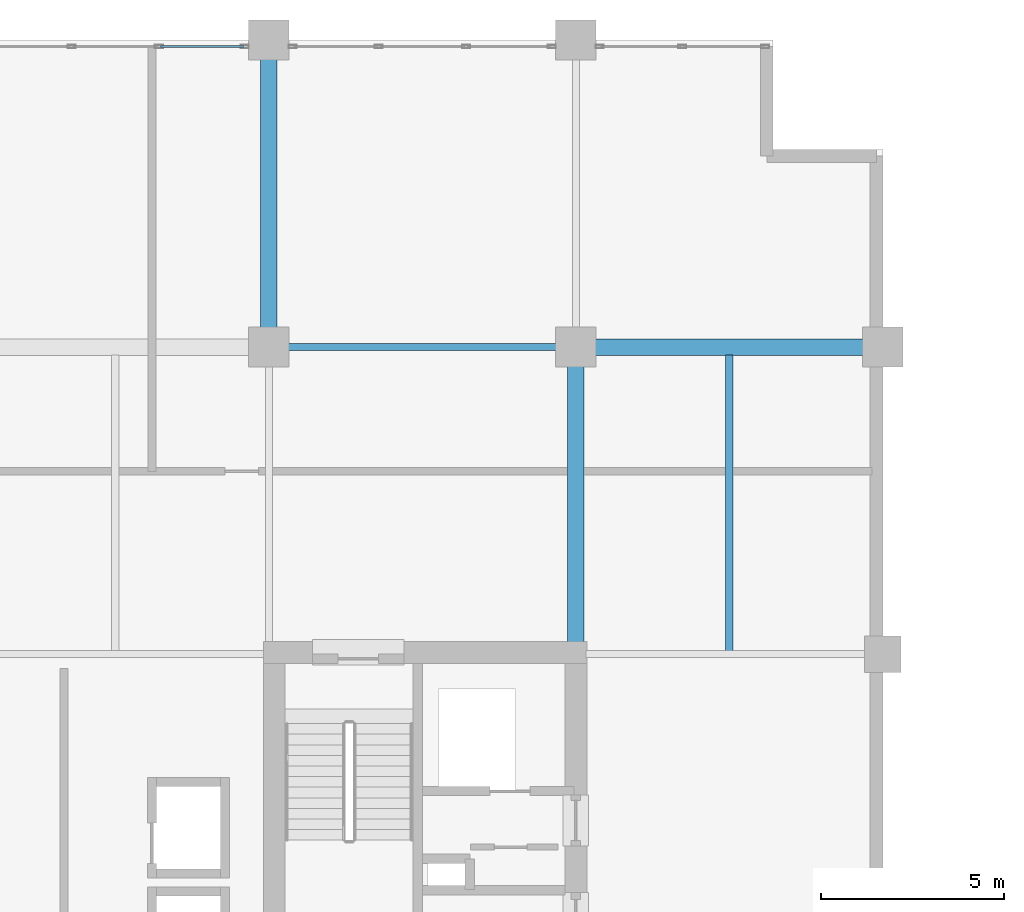
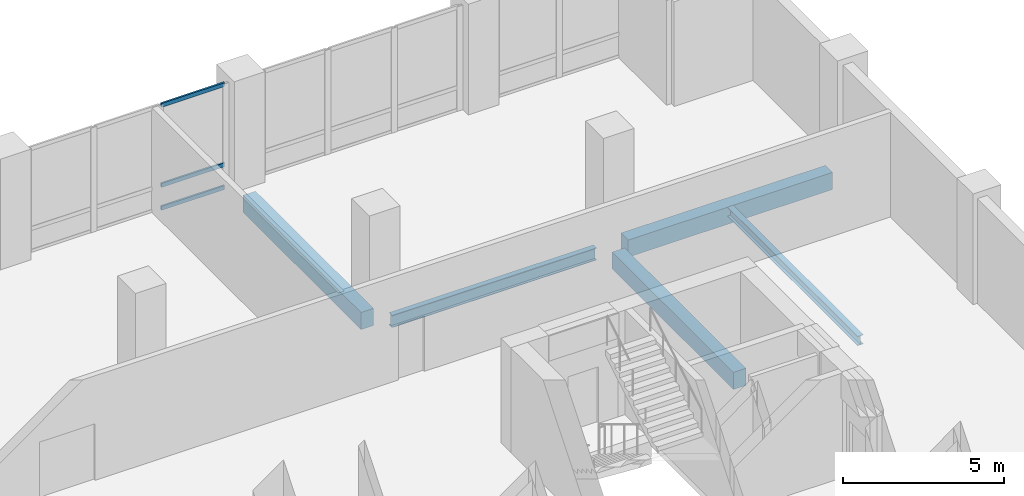
# One storey, part 7 of 22: 5 beams, 3 members, 1 element without a shape of its own.
"""IFC4 building model written with IfcOpenShell, lengths in metres."""

from ifc_helpers import new_model, si_unit, direction, frame, origin, origin_2d, place, context, subcontext, project, spatial, rectangle, hollow_rectangle, i_section, extrude, material, layer, layer_set, material_profile, profile_set, type_object, element, aggregate, save


model = new_model("IFC4")

# Units and contexts
model_context = context("Model", 3, precision=1e-05, world=origin(), true_north=direction((0.0, 1.0)))
body_context = subcontext(model_context, "Body", "Model", "MODEL_VIEW")
ifc_project = project(units=[si_unit("LENGTHUNIT", "METRE"), si_unit("AREAUNIT", "SQUARE_METRE"), si_unit("VOLUMEUNIT", "CUBIC_METRE"), si_unit("PLANEANGLEUNIT", "RADIAN"), si_unit("MASSUNIT", "GRAM", prefix="KILO")], contexts=[model_context])

# Site, building, storey
site_placement = place(None, origin())
site = spatial("IfcSite", under=ifc_project, at=site_placement, CompositionType="ELEMENT")
building_placement = place(site_placement, origin())
building = spatial("IfcBuilding", under=site, at=building_placement, Name="Koriwani Terraces Tower", CompositionType="ELEMENT")
storey_placement = place(building_placement, frame((0.0, 0.0, 219.800048828125)))
storey = spatial("IfcBuildingStorey", under=building, at=storey_placement, Name="L54", CompositionType="ELEMENT", Elevation=219.800048828125)

# Beams
ifc_material_1 = material(Name="Concrete C50/60", Category="concrete")
ifc_material_profile_1 = material_profile(ifc_material_1, rectangle(XDim=0.449951171875, YDim=0.64990234375, at=origin_2d()), Name="Concrete C50/60", Category="LoadBearing")
ifc_profile_set_1 = profile_set([ifc_material_profile_1], Name="Concrete C50/60")
beam_type_1 = type_object("IfcBeamType", Name="BEAM_RC_GRID_450X650", PredefinedType="BEAM", material=ifc_profile_set_1)
for number, where, z_axis, x_axis, name in (
    (1, (25.72998046875, 67.199951171875, -0.554931640625), (1.0, 0.0, 0.0), (0.0, 1.0, 0.0), "L54 Grid Beam I (25.2-33.6m)"),
    (2, (16.800048828125, 67.72998046875, -0.554931640625), (0.0, 1.0, 0.0), (-1.0, 0.0, 0.0), "L54 Grid Beam 3 (67.2-75.6m)"),
):
    element("IfcBeam", number, at=place(storey_placement, frame(where, z_axis=z_axis, x_axis=x_axis)), inside=storey, type_object=beam_type_1, Name=name, PredefinedType="BEAM", context=body_context, shape_type="SweptSolid", body=[
        extrude(rectangle(XDim=0.449951171875, YDim=0.64990234375, at=origin_2d()), origin(), (0.0, 0.0, 1.0), 7.340087890625),
    ])
beam_1_placement = place(storey_placement, frame((25.199951171875, 59.1298828125, -0.554931640625), z_axis=(0.0, 1.0, 0.0), x_axis=(-1.0, 0.0, 0.0)))
element("IfcBeam", 3, at=beam_1_placement, inside=storey, type_object=beam_type_1, Name="L54 Grid Beam 4 (58.8-67.2m)", PredefinedType="BEAM", context=body_context, shape_type="SweptSolid", body=[
    extrude(rectangle(XDim=0.449951171875, YDim=0.64990234375, at=origin_2d()), origin(), (0.0, 0.0, 1.0), 7.5400390625),
])

# Curtain wall, members
ifc_material_2 = material(Name="Anodised Bronze Aluminium", Category="aluminium")
ifc_layer = layer(ifc_material_2, 0.219970703125, Name="Anodised Bronze Aluminium")
ifc_layer_set = layer_set([ifc_layer], Name="Anodised Bronze Aluminium")
curtain_wall_type = type_object("IfcCurtainWallType", Name="CW_SKY_LOUNGE", PredefinedType="NOTDEFINED", material=ifc_layer_set)
curtain_wall_placement = place(storey_placement, origin())
curtain_wall = element("IfcCurtainWall", 4, at=curtain_wall_placement, inside=storey, type_object=curtain_wall_type, Name="L54 Unitised Curtain Wall (N_TIP) Bay 2", PredefinedType="NOTDEFINED")
ifc_material_profile_2 = material_profile(ifc_material_2, hollow_rectangle(XDim=0.06494140625, YDim=0.14990234375, WallThickness=0.0048828125, at=origin_2d()), Name="Anodised Bronze Aluminium", Category="LoadBearing")
ifc_profile_set_2 = profile_set([ifc_material_profile_2], Name="Anodised Bronze Aluminium")
member_type = type_object("IfcMemberType", Name="CW_TRANSOM_150X65", PredefinedType="USERDEFINED", material=ifc_profile_set_2)
member_1_placement = place(storey_placement, frame((13.839111328125, 75.425048828125, 0.032470703125), z_axis=(1.0, 0.0, 0.0), x_axis=(0.0, 1.0, 0.0)))
member_1 = element("IfcMember", 5, at=member_1_placement, type_object=member_type, Name="CW-SKY transom 3.1", ObjectType="TRANSOM", PredefinedType="USERDEFINED", context=body_context, shape_type="SweptSolid", body=[
    extrude(hollow_rectangle(XDim=0.06494140625, YDim=0.14990234375, WallThickness=0.0048828125, at=origin_2d()), origin(), (0.0, 0.0, 1.0), 2.265869140625),
])
member_2_placement = place(storey_placement, frame((13.839111328125, 75.425048828125, 0.89990234375), z_axis=(1.0, 0.0, 0.0), x_axis=(0.0, 1.0, 0.0)))
member_2 = element("IfcMember", 6, at=member_2_placement, type_object=member_type, Name="CW-SKY transom 3.2", ObjectType="TRANSOM", PredefinedType="USERDEFINED", context=body_context, shape_type="SweptSolid", body=[
    extrude(hollow_rectangle(XDim=0.06494140625, YDim=0.14990234375, WallThickness=0.0048828125, at=origin_2d()), origin(), (0.0, 0.0, 1.0), 2.265869140625),
])
member_3_placement = place(storey_placement, frame((13.839111328125, 75.425048828125, 3.9375), z_axis=(1.0, 0.0, 0.0), x_axis=(0.0, 1.0, 0.0)))
member_3 = element("IfcMember", 7, at=member_3_placement, type_object=member_type, Name="CW-SKY transom 3.3", ObjectType="TRANSOM", PredefinedType="USERDEFINED", context=body_context, shape_type="SweptSolid", body=[
    extrude(hollow_rectangle(XDim=0.06494140625, YDim=0.14990234375, WallThickness=0.0048828125, at=origin_2d()), origin(), (0.0, 0.0, 1.0), 2.265869140625),
])
aggregate(curtain_wall, [member_1, member_2, member_3])

# Beams
ifc_material_3 = material(Name="Steel ASTM A572 Grade 50", Category="steel")
ifc_material_profile_3 = material_profile(ifc_material_3, i_section(OverallWidth=0.205078125, OverallDepth=0.35400390625, WebThickness=0.009521484375, FlangeThickness=0.016845703125, at=origin_2d()), Name="Steel ASTM A572 Grade 50", Category="LoadBearing")
ifc_profile_set_3 = profile_set([ifc_material_profile_3], Name="Steel ASTM A572 Grade 50")
beam_type_2 = type_object("IfcBeamType", Name="STEEL_BEAM_W360X79", PredefinedType="JOIST", material=ifc_profile_set_3)
beam_2_placement = place(storey_placement, frame((29.39990234375, 58.886474609375, -0.406982421875), z_axis=(0.0, 1.0, 0.0), x_axis=(-1.0, 0.0, 0.0)))
element("IfcBeam", 8, at=beam_2_placement, inside=storey, type_object=beam_type_2, Name="L54 Secondary Steel Floor Joist X=29.4m", PredefinedType="JOIST", context=body_context, shape_type="SweptSolid", body=[
    extrude(i_section(OverallWidth=0.205078125, OverallDepth=0.35400390625, WebThickness=0.009521484375, FlangeThickness=0.016845703125, at=origin_2d()), origin(), (0.0, 0.0, 1.0), 8.0986328125),
])
ifc_material_profile_4 = material_profile(ifc_material_3, i_section(OverallWidth=0.193115234375, OverallDepth=0.462890625, WebThickness=0.0107421875, FlangeThickness=0.017333984375, at=origin_2d()), Name="Steel ASTM A572 Grade 50", Category="LoadBearing")
ifc_profile_set_4 = profile_set([ifc_material_profile_4], Name="Steel ASTM A572 Grade 50")
beam_type_3 = type_object("IfcBeamType", Name="STEEL_BEAM_W460X113", PredefinedType="BEAM", material=ifc_profile_set_4)
beam_3_placement = place(storey_placement, frame((17.330078125, 67.199951171875, -0.461669921875), z_axis=(1.0, 0.0, 0.0), x_axis=(0.0, 1.0, 0.0)))
element("IfcBeam", 9, at=beam_3_placement, inside=storey, type_object=beam_type_3, Name="L54 Grid Beam I (16.8-25.2m)", PredefinedType="BEAM", context=body_context, shape_type="SweptSolid", body=[
    extrude(i_section(OverallWidth=0.193115234375, OverallDepth=0.462890625, WebThickness=0.0107421875, FlangeThickness=0.017333984375, at=origin_2d()), origin(), (0.0, 0.0, 1.0), 7.33984375),
])

save(model, "model.ifc")
